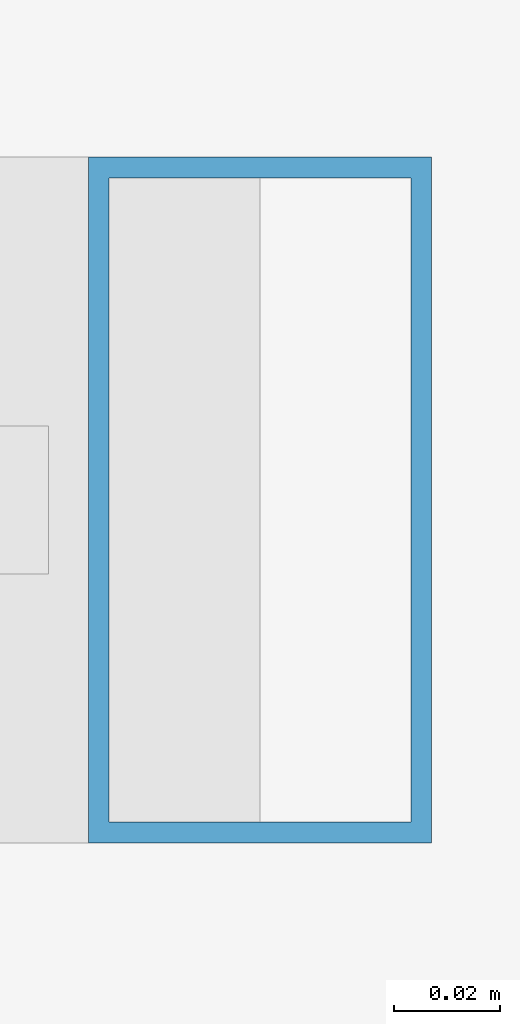
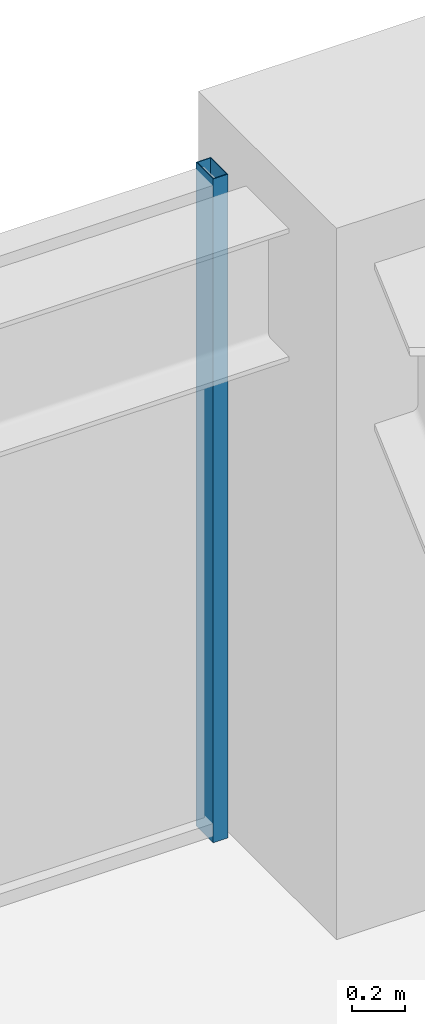
# One storey, part 23 of 35: 1 member, 1 element without a shape of its own.
"""IFC4 building model written with IfcOpenShell, lengths in metres."""

from ifc_helpers import new_model, si_unit, direction, frame, origin, origin_2d, place, context, subcontext, project, spatial, hollow_rectangle, extrude, material, material_profile, profile_set, type_object, element, aggregate, save


model = new_model("IFC4")

# Units and contexts
model_context = context("Model", 3, precision=1e-05, world=origin(), true_north=direction((0.0, 1.0)))
body_context = subcontext(model_context, "Body", "Model", "MODEL_VIEW")
ifc_project = project(units=[si_unit("LENGTHUNIT", "METRE"), si_unit("AREAUNIT", "SQUARE_METRE"), si_unit("VOLUMEUNIT", "CUBIC_METRE"), si_unit("PLANEANGLEUNIT", "RADIAN"), si_unit("MASSUNIT", "GRAM", prefix="KILO")], contexts=[model_context])

# Site, building, storey
site_placement = place(None, origin())
site = spatial("IfcSite", under=ifc_project, at=site_placement, CompositionType="ELEMENT")
building_placement = place(site_placement, origin())
building = spatial("IfcBuilding", under=site, at=building_placement, Name="Kolvaren Belvedere", CompositionType="ELEMENT")
storey_placement = place(building_placement, frame((0.0, 0.0, 115.10009765625)))
storey = spatial("IfcBuildingStorey", under=building, at=storey_placement, Name="L33", CompositionType="ELEMENT", Elevation=115.10009765625)

# Curtain wall, member
ifc_material_1 = material(Name="Anodised pale-metal aluminium AA 6063-T6", Category="aluminium")
curtain_wall_type = type_object("IfcCurtainWallType", Name="CW-Z3-WAIST", PredefinedType="NOTDEFINED", material=ifc_material_1)
curtain_wall_placement = place(storey_placement, origin())
curtain_wall = element("IfcCurtainWall", 1, at=curtain_wall_placement, inside=storey, type_object=curtain_wall_type, Name="L33 Unitised Curtain Wall FCW-L33-N-B3", PredefinedType="NOTDEFINED")
ifc_material_2 = material(Name="Anodised pale-metal aluminium AA 6063-T6", Category="aluminium")
ifc_material_profile = material_profile(ifc_material_2, hollow_rectangle(XDim=0.06494140625, YDim=0.1298828125, WallThickness=0.00390625, at=origin_2d()), Name="ALU-MUL-130X65")
ifc_profile_set = profile_set([ifc_material_profile], Name="Anodised pale-metal aluminium AA 6063-T6")
member_type = type_object("IfcMemberType", Name="CW-MUL-130", PredefinedType="MULLION", material=ifc_profile_set)
member_placement = place(storey_placement, frame((11.972412109375, 18.97998046875, 0.0), z_axis=(0.0, 0.0, 1.0), x_axis=(1.0, 0.0, 0.0)))
member = element("IfcMember", 2, at=member_placement, type_object=member_type, Name="FCW-L33-N-B3 Unitised Mullion 3", PredefinedType="MULLION", context=body_context, shape_type="SweptSolid", body=[
    extrude(hollow_rectangle(XDim=0.06494140625, YDim=0.1298828125, WallThickness=0.00390625, at=origin_2d()), origin(), (0.0, 0.0, 1.0), 3.079833984375),
])
aggregate(curtain_wall, [member])

save(model, "model.ifc")
